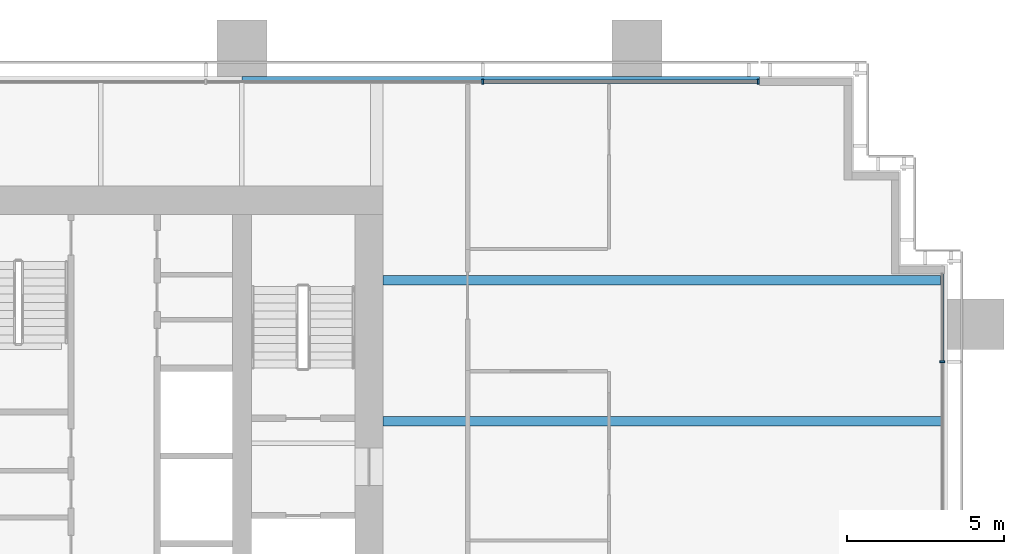
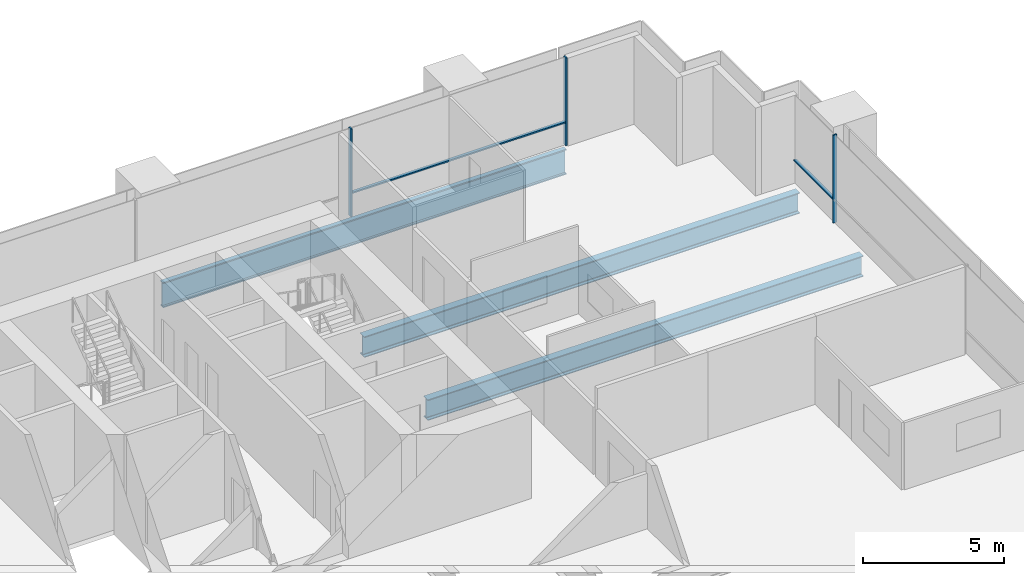
# One storey, part 10 of 19: 5 members, 3 beams, 2 elements without a shape of their own.
"""IFC4 building model written with IfcOpenShell, lengths in metres."""

from ifc_helpers import new_model, si_unit, direction, frame, origin, origin_2d, place, context, subcontext, project, spatial, rectangle, i_section, extrude, material, material_profile, profile_set, type_object, element, aggregate, save


model = new_model("IFC4")

# Units and contexts
model_context = context("Model", 3, precision=1e-05, world=origin(), true_north=direction((0.0, 1.0)))
body_context = subcontext(model_context, "Body", "Model", "MODEL_VIEW")
ifc_project = project(units=[si_unit("LENGTHUNIT", "METRE"), si_unit("AREAUNIT", "SQUARE_METRE"), si_unit("VOLUMEUNIT", "CUBIC_METRE"), si_unit("PLANEANGLEUNIT", "RADIAN"), si_unit("MASSUNIT", "GRAM", prefix="KILO")], contexts=[model_context])

# Site, building, storey
site_placement = place(None, origin())
site = spatial("IfcSite", under=ifc_project, at=site_placement, CompositionType="ELEMENT")
building_placement = place(site_placement, origin())
building = spatial("IfcBuilding", under=site, at=building_placement, Name="Rattan Terrace Tower", CompositionType="ELEMENT")
storey_placement = place(building_placement, frame((0.0, 0.0, 99.699951171875)))
storey = spatial("IfcBuildingStorey", under=building, at=storey_placement, Name="L22", CompositionType="ELEMENT", Elevation=99.699951171875)

# Curtain wall, member
ifc_material_1 = material(Name="Aluminium and glass", Category="aluminium")
curtain_wall_type = type_object("IfcCurtainWallType", Name="Facade Unitised Curtain Wall", PredefinedType="NOTDEFINED", material=ifc_material_1)
curtain_wall_1_placement = place(storey_placement, origin())
curtain_wall_1 = element("IfcCurtainWall", 1, at=curtain_wall_1_placement, inside=storey, type_object=curtain_wall_type, Name="Curtain wall L22-1", PredefinedType="NOTDEFINED")
ifc_material_2 = material(Name="Aluminium", Category="aluminium")
ifc_material_profile_1 = material_profile(ifc_material_2, rectangle(XDim=0.06005859375, YDim=0.159912109375, at=origin_2d()), Name="Aluminium 60x160")
ifc_profile_set_1 = profile_set([ifc_material_profile_1], Name="Aluminium")
member_type_1 = type_object("IfcMemberType", Name="Facade CW Mullion 60x160", PredefinedType="MULLION", material=ifc_profile_set_1)
member_1_placement = place(storey_placement, frame((35.830078125, 1.89990234375, 0.0), z_axis=(0.0, 0.0, 1.0), x_axis=(0.0, 1.0, 0.0)))
member_1 = element("IfcMember", 2, at=member_1_placement, type_object=member_type_1, Name="Mullion cwl-L22-001.4", PredefinedType="MULLION", context=body_context, shape_type="SweptSolid", body=[
    extrude(rectangle(XDim=0.06005859375, YDim=0.159912109375, at=origin_2d()), origin(), (0.0, 0.0, 1.0), 3.800048828125),
])

# Curtain wall, members
curtain_wall_2_placement = place(storey_placement, origin())
curtain_wall_2 = element("IfcCurtainWall", 3, at=curtain_wall_2_placement, inside=storey, type_object=curtain_wall_type, Name="Curtain wall L22-2", PredefinedType="NOTDEFINED")
member_2_placement = place(storey_placement, frame((29.969970703125, 10.830078125, 0.0), z_axis=(0.0, 0.0, 1.0), x_axis=(-1.0, 0.0, 0.0)))
member_2 = element("IfcMember", 4, at=member_2_placement, type_object=member_type_1, Name="Mullion cwl-L22-002.1", PredefinedType="MULLION", context=body_context, shape_type="SweptSolid", body=[
    extrude(rectangle(XDim=0.06005859375, YDim=0.159912109375, at=origin_2d()), origin(), (0.0, 0.0, 1.0), 3.800048828125),
])
member_3_placement = place(storey_placement, frame((21.177001953125, 10.830078125, 0.0), z_axis=(0.0, 0.0, 1.0), x_axis=(-1.0, 0.0, 0.0)))
member_3 = element("IfcMember", 5, at=member_3_placement, type_object=member_type_1, Name="Mullion cwl-L22-002.2", PredefinedType="MULLION", context=body_context, shape_type="SweptSolid", body=[
    extrude(rectangle(XDim=0.06005859375, YDim=0.159912109375, at=origin_2d()), origin(), (0.0, 0.0, 1.0), 3.800048828125),
])

# Member
ifc_material_3 = material(Name="Aluminium", Category="aluminium")
ifc_material_profile_2 = material_profile(ifc_material_3, rectangle(XDim=0.1201171875, YDim=0.06005859375, at=origin_2d()), Name="Aluminium 120x60")
ifc_profile_set_2 = profile_set([ifc_material_profile_2], Name="Aluminium")
member_type_2 = type_object("IfcMemberType", Name="Facade CW Transom 120x60", PredefinedType="USERDEFINED", material=ifc_profile_set_2)
member_4_placement = place(storey_placement, frame((35.830078125, 1.929931640625, 1.0), z_axis=(0.0, 1.0, 0.0), x_axis=(-1.0, 0.0, 0.0)))
member_4 = element("IfcMember", 6, at=member_4_placement, type_object=member_type_2, Name="Transom cwl-L22-001.4", ObjectType="TRANSOM", PredefinedType="USERDEFINED", context=body_context, shape_type="SweptSolid", body=[
    extrude(rectangle(XDim=0.1201171875, YDim=0.06005859375, at=origin_2d()), origin(), (0.0, 0.0, 1.0), 2.775146484375),
])

aggregate(curtain_wall_1, [member_1, member_4])

member_5_placement = place(storey_placement, frame((29.93994140625, 10.830078125, 1.0), z_axis=(-1.0, 0.0, 0.0), x_axis=(0.0, -1.0, 0.0)))
member_5 = element("IfcMember", 7, at=member_5_placement, type_object=member_type_2, Name="Transom cwl-L22-002.1", ObjectType="TRANSOM", PredefinedType="USERDEFINED", context=body_context, shape_type="SweptSolid", body=[
    extrude(rectangle(XDim=0.1201171875, YDim=0.06005859375, at=origin_2d()), origin(), (0.0, 0.0, 1.0), 8.73291015625),
])

aggregate(curtain_wall_2, [member_2, member_3, member_5])

# Beams
ifc_material_4 = material(Name="Steel S460", Category="steel")
ifc_material_profile_3 = material_profile(ifc_material_4, i_section(OverallWidth=0.179931640625, OverallDepth=1.10009765625, WebThickness=0.01611328125, FlangeThickness=0.050048828125, at=origin_2d()), Name="PG 1100x180-16-50")
ifc_profile_set_3 = profile_set([ifc_material_profile_3], Name="Steel S460")
beam_type_1 = type_object("IfcBeamType", Name="Frame edge girder PG 1100x180-16-50", PredefinedType="SPANDREL", material=ifc_profile_set_3)
beam_placement = place(storey_placement, frame((30.0, 10.909912109375, -0.75), z_axis=(-1.0, 0.0, 0.0), x_axis=(0.0, -1.0, 0.0)))
element("IfcBeam", 8, at=beam_placement, inside=storey, type_object=beam_type_1, Name="gdr-L22-008", PredefinedType="SPANDREL", context=body_context, shape_type="SweptSolid", body=[
    extrude(i_section(OverallWidth=0.179931640625, OverallDepth=1.10009765625, WebThickness=0.01611328125, FlangeThickness=0.050048828125, at=origin_2d()), origin(), (0.0, 0.0, 1.0), 16.5),
])
ifc_material_5 = material(Name="Steel S355", Category="steel")
ifc_material_profile_4 = material_profile(ifc_material_5, i_section(OverallWidth=0.300048828125, OverallDepth=0.89990234375, WebThickness=0.0185546875, FlangeThickness=0.034912109375, FilletRadius=0.030029296875, at=origin_2d()), Name="HE 900 B")
ifc_profile_set_4 = profile_set([ifc_material_profile_4], Name="Steel S355")
beam_type_2 = type_object("IfcBeamType", Name="Frame floor beam HE 900 B", PredefinedType="JOIST", material=ifc_profile_set_4)
for number, where, z_axis, x_axis, name in (
    (9, (18.0, 0.0, -0.64990234375), (1.0, 0.0, 0.0), (0.0, 1.0, 0.0), "bm-L22-015"),
    (10, (18.0, 4.5, -0.64990234375), (1.0, 0.0, 0.0), (0.0, 1.0, 0.0), "bm-L22-017"),
):
    element("IfcBeam", number, at=place(storey_placement, frame(where, z_axis=z_axis, x_axis=x_axis)), inside=storey, type_object=beam_type_2, Name=name, PredefinedType="JOIST", context=body_context, shape_type="SweptSolid", body=[
        extrude(i_section(OverallWidth=0.300048828125, OverallDepth=0.89990234375, WebThickness=0.0185546875, FlangeThickness=0.034912109375, FilletRadius=0.030029296875, at=origin_2d()), origin(), (0.0, 0.0, 1.0), 17.820068359375),
    ])

save(model, "model.ifc")
